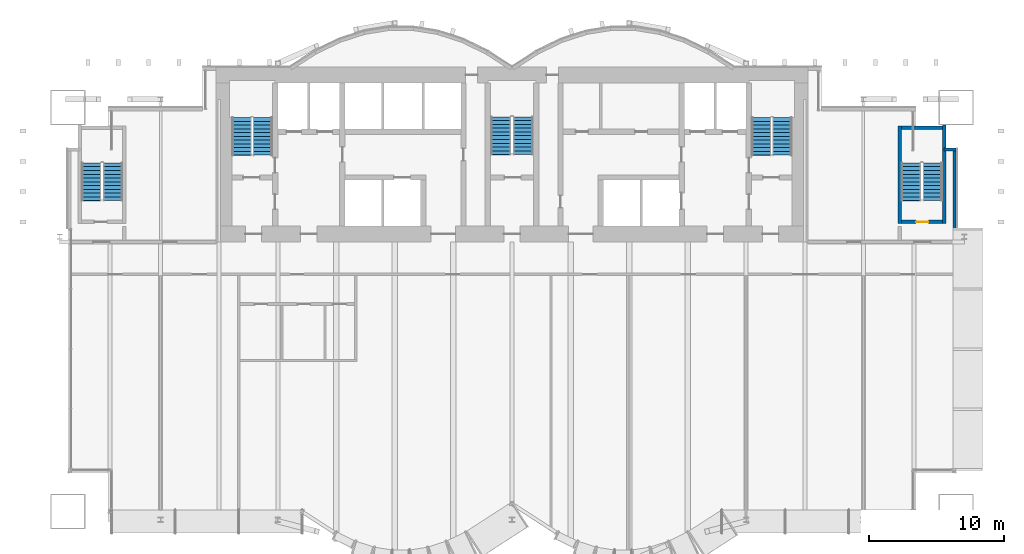
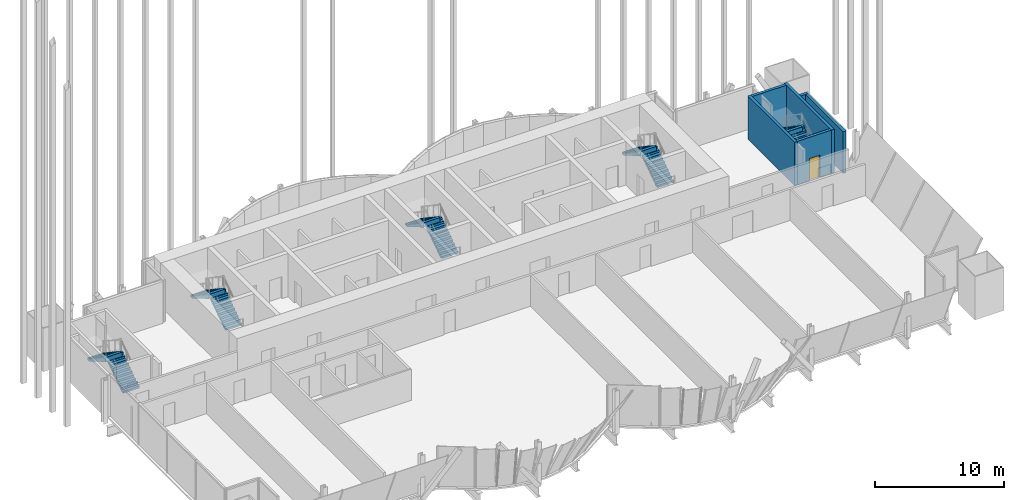
# One storey, part 31 of 33: 10 stair flights, 6 walls, 1 door, 1 opening, 5 elements without a shape of their own.
"""IFC4 building model written with IfcOpenShell, lengths in metres."""

from ifc_helpers import new_model, si_unit, direction, frame, frame_2d, origin, place, context, subcontext, project, spatial, polyline, rectangle, outline, extrude, material, layer, layer_set, layer_usage, type_object, element, fill, aggregate, save


model = new_model("IFC4")

# Units and contexts
model_context = context("Model", 3, precision=1e-05, world=origin(), true_north=direction((0.0, 1.0)))
body_context = subcontext(model_context, "Body", "Model", "MODEL_VIEW")
ifc_project = project(units=[si_unit("LENGTHUNIT", "METRE"), si_unit("AREAUNIT", "SQUARE_METRE"), si_unit("VOLUMEUNIT", "CUBIC_METRE"), si_unit("PLANEANGLEUNIT", "RADIAN"), si_unit("MASSUNIT", "GRAM", prefix="KILO")], contexts=[model_context])

# Site, building, storey
site_placement = place(None, origin())
site = spatial("IfcSite", under=ifc_project, at=site_placement, CompositionType="ELEMENT")
building_placement = place(site_placement, origin())
building = spatial("IfcBuilding", under=site, at=building_placement, Name="Bicima Exchange Tower", CompositionType="ELEMENT")
storey_placement = place(building_placement, frame((0.0, 0.0, 140.39990234375)))
storey = spatial("IfcBuildingStorey", under=building, at=storey_placement, Name="L30", CompositionType="ELEMENT", Elevation=140.39990234375)

# Walls
ifc_material_1 = material(Name="Concrete C50/60", Category="concrete")
ifc_layer_1 = layer(ifc_material_1, 0.25)
ifc_layer_set_1 = layer_set([ifc_layer_1], Name="Concrete C50/60")
wall_type_1 = type_object("IfcWallType", Name="RC stair enclosure wall 250 C50/60", PredefinedType="SHEAR", material=ifc_layer_set_1)
wall_1_placement = place(storey_placement, frame((28.800048828125, -11.625, 0.0), z_axis=(0.0, 0.0, 1.0), x_axis=(0.0, 1.0, 0.0)))
element("IfcWall", 1, at=wall_1_placement, inside=storey, type_object=wall_type_1, Name="East end exit stair wall W", PredefinedType="SHEAR", context=body_context, shape_type="SweptSolid", body=[
    extrude(rectangle(XDim=7.25, YDim=0.25, at=frame_2d((3.625, 0.0))), origin(), (0.0, 0.0, 1.0), 4.10009765625),
])
wall_2_placement = place(storey_placement, frame((32.10009765625, -11.625, 0.0), z_axis=(0.0, 0.0, 1.0), x_axis=(0.0, 1.0, 0.0)))
element("IfcWall", 2, at=wall_2_placement, inside=storey, type_object=wall_type_1, Name="East end exit stair wall E", PredefinedType="SHEAR", context=body_context, shape_type="SweptSolid", body=[
    extrude(rectangle(XDim=7.324951171875, YDim=0.25, at=frame_2d((3.66259765625, 0.0))), origin(), (0.0, 0.0, 1.0), 4.10009765625),
])

# Wall, opening, door
wall_3_placement = place(storey_placement, frame((28.925048828125, -11.5, 0.0), z_axis=(0.0, 0.0, 1.0), x_axis=(1.0, 0.0, 0.0)))
wall_3 = element("IfcWall", 3, at=wall_3_placement, inside=storey, type_object=wall_type_1, Name="East end exit stair wall S", PredefinedType="SHEAR", context=body_context, shape_type="SweptSolid", body=[
    extrude(rectangle(XDim=3.050048828125, YDim=0.25, at=frame_2d((1.52490234375, 0.0))), origin(), (0.0, 0.0, 1.0), 4.10009765625),
])
opening_placement = place(wall_3_placement, frame((1.10009765625, 0.0, 0.0)))
opening = element("IfcOpeningElement", 4, at=opening_placement, cuts=wall_3, Name="Opening L30-004", PredefinedType="OPENING", context=body_context, shape_type="SweptSolid", body=[
    extrude(rectangle(XDim=0.89990234375, YDim=2.10009765625, at=frame_2d((0.449951171875, 1.050048828125))), frame((0.0, 0.136962890625, 0.0), z_axis=(0.0, -1.0, 0.0), x_axis=(1.0, 0.0, 0.0)), (0.0, 0.0, 1.0), 0.27392578125),
])
ifc_material_2 = material(Name="Steel fire door leaf", Category="steel")
door_type = type_object("IfcDoorType", Name="Door 900 swing FD60S", OperationType="SINGLE_SWING_LEFT", PredefinedType="DOOR", material=ifc_material_2)
door_placement = place(opening_placement, origin())
door = element("IfcDoor", 5, at=door_placement, inside=storey, type_object=door_type, Name="Door", OperationType="SINGLE_SWING_LEFT", OverallHeight=2.10009765625, OverallWidth=0.89990234375, PredefinedType="DOOR", context=body_context, shape_type="SweptSolid", body=[
    extrude(rectangle(XDim=0.89990234375, YDim=2.10009765625, at=frame_2d((0.449951171875, 1.050048828125))), frame((0.0, 0.02490234375, 0.0), z_axis=(0.0, -1.0, 0.0), x_axis=(1.0, 0.0, 0.0)), (0.0, 0.0, 1.0), 0.050048828125),
])
fill(opening, door)

# Walls
wall_4_placement = place(storey_placement, frame((28.925048828125, -4.5, 0.0), z_axis=(0.0, 0.0, 1.0), x_axis=(1.0, 0.0, 0.0)))
element("IfcWall", 6, at=wall_4_placement, inside=storey, type_object=wall_type_1, Name="East end exit stair wall N", PredefinedType="SHEAR", context=body_context, shape_type="SweptSolid", body=[
    extrude(rectangle(XDim=3.050048828125, YDim=0.25, at=frame_2d((1.52490234375, 0.0))), origin(), (0.0, 0.0, 1.0), 4.10009765625),
])
ifc_material_3 = material(Name="Concrete C40/50", Category="concrete")
ifc_layer_2 = layer(ifc_material_3, 0.25)
ifc_layer_set_2 = layer_set([ifc_layer_2], Name="Concrete C40/50")
ifc_layer_usage = layer_usage(ifc_layer_set_2, "AXIS2", "POSITIVE", -0.125)
wall_type_2 = type_object("IfcWallType", Name="Rear backup wall 250", PredefinedType="STANDARD", material=ifc_layer_set_2)
wall_5_placement = place(storey_placement, frame((32.875, -12.090087890625, 0.0), z_axis=(0.0, 0.0, 1.0), x_axis=(0.0, 1.0, 0.0)))
element("IfcWall", 7, at=wall_5_placement, inside=storey, type_object=wall_type_2, material=ifc_layer_usage, Name="Rear backup wall L30 2", PredefinedType="STANDARD", context=body_context, shape_type="SweptSolid", body=[
    extrude(rectangle(XDim=6.090087890625, YDim=0.25, at=frame_2d((3.044921875, 0.0))), origin(), (0.0, 0.0, 1.0), 3.9501953125),
])
wall_6_placement = place(storey_placement, frame((33.0, -6.125, 0.0), z_axis=(0.0, 0.0, 1.0), x_axis=(-1.0, 0.0, 0.0)))
element("IfcWall", 8, at=wall_6_placement, inside=storey, type_object=wall_type_2, material=ifc_layer_usage, Name="Rear backup wall L30 3", PredefinedType="STANDARD", context=body_context, shape_type="SweptSolid", body=[
    extrude(rectangle(XDim=0.889892578125, YDim=0.25, at=frame_2d((0.44482421875, 0.0))), origin(), (0.0, 0.0, 1.0), 3.9501953125),
])

# Stair, stair flights
stair_type_1 = type_object("IfcStairType", Name="Exit stair", PredefinedType="HALF_TURN_STAIR", material=ifc_material_1)
stair_1_placement = place(storey_placement, origin())
stair_1 = element("IfcStair", 9, at=stair_1_placement, inside=storey, type_object=stair_type_1, Name="L30 West exit stair", PredefinedType="HALF_TURN_STAIR")
stair_flight_type_1 = type_object("IfcStairFlightType", Name="Stair flight RC", PredefinedType="STRAIGHT", material=ifc_material_1)
stair_flight_1_placement = place(storey_placement, frame((-18.52490234375, -6.550048828125, 0.0), z_axis=(0.0, 0.0, 1.0), x_axis=(0.0, 1.0, 0.0)))
stair_flight_1 = element("IfcStairFlight", 10, at=stair_flight_1_placement, type_object=stair_flight_type_1, Name="ST-W flight 1", NumberOfRisers=11, NumberOfTreads=10, PredefinedType="STRAIGHT", RiserHeight=0.186363636, TreadLength=0.28, context=body_context, shape_type="SweptSolid", body=[
    extrude(outline(polyline([(0.0, 0.0), (0.0, 0.186279296875), (0.280029296875, 0.186279296875), (0.280029296875, 0.372802734375), (0.56005859375, 0.372802734375), (0.56005859375, 0.55908203125), (0.840087890625, 0.55908203125), (0.840087890625, 0.745361328125), (1.1201171875, 0.745361328125), (1.1201171875, 0.931884765625), (1.39990234375, 0.931884765625), (1.39990234375, 1.1181640625), (1.679931640625, 1.1181640625), (1.679931640625, 1.304443359375), (1.9599609375, 1.304443359375), (1.9599609375, 1.490966796875), (2.239990234375, 1.490966796875), (2.239990234375, 1.67724609375), (2.52001953125, 1.67724609375), (2.52001953125, 1.863525390625), (2.800048828125, 1.863525390625), (2.800048828125, 2.050048828125), (2.800048828125, 1.68359375), (0.2705078125, 0.0), (0.0, 0.0)])), frame((0.0, 0.72509765625, 0.0), z_axis=(0.0, -1.0, 0.0), x_axis=(1.0, 0.0, 0.0)), (0.0, 0.0, 1.0), 1.449951171875),
])
stair_flight_2_placement = place(storey_placement, frame((-20.074951171875, -3.75, 2.050048828125), z_axis=(0.0, 0.0, 1.0), x_axis=(0.0, -1.0, 0.0)))
stair_flight_2 = element("IfcStairFlight", 11, at=stair_flight_2_placement, type_object=stair_flight_type_1, Name="ST-W flight 2", NumberOfRisers=11, NumberOfTreads=10, PredefinedType="STRAIGHT", RiserHeight=0.186363636, TreadLength=0.28, context=body_context, shape_type="SweptSolid", body=[
    extrude(outline(polyline([(0.0, 0.0), (0.0, 0.186279296875), (0.280029296875, 0.186279296875), (0.280029296875, 0.372802734375), (0.56005859375, 0.372802734375), (0.56005859375, 0.55908203125), (0.840087890625, 0.55908203125), (0.840087890625, 0.745361328125), (1.1201171875, 0.745361328125), (1.1201171875, 0.931884765625), (1.39990234375, 0.931884765625), (1.39990234375, 1.1181640625), (1.679931640625, 1.1181640625), (1.679931640625, 1.304443359375), (1.9599609375, 1.304443359375), (1.9599609375, 1.490966796875), (2.239990234375, 1.490966796875), (2.239990234375, 1.67724609375), (2.52001953125, 1.67724609375), (2.52001953125, 1.863525390625), (2.800048828125, 1.863525390625), (2.800048828125, 1.904052734375), (2.81494140625, 1.904052734375), (2.81494140625, 1.507080078125), (0.2705078125, 0.0), (0.0, 0.0)])), frame((0.0, 0.72509765625, 0.0), z_axis=(0.0, -1.0, 0.0), x_axis=(1.0, 0.0, 0.0)), (0.0, 0.0, 1.0), 1.449951171875),
])
aggregate(stair_1, [stair_flight_1, stair_flight_2])

stair_2_placement = place(storey_placement, origin())
stair_2 = element("IfcStair", 12, at=stair_2_placement, inside=storey, type_object=stair_type_1, Name="L30 East exit stair", PredefinedType="HALF_TURN_STAIR")
stair_flight_3_placement = place(storey_placement, frame((20.074951171875, -6.550048828125, 0.0), z_axis=(0.0, 0.0, 1.0), x_axis=(0.0, 1.0, 0.0)))
stair_flight_3 = element("IfcStairFlight", 13, at=stair_flight_3_placement, type_object=stair_flight_type_1, Name="ST-E flight 1", NumberOfRisers=11, NumberOfTreads=10, PredefinedType="STRAIGHT", RiserHeight=0.186363636, TreadLength=0.28, context=body_context, shape_type="SweptSolid", body=[
    extrude(outline(polyline([(0.0, 0.0), (0.0, 0.186279296875), (0.280029296875, 0.186279296875), (0.280029296875, 0.372802734375), (0.56005859375, 0.372802734375), (0.56005859375, 0.55908203125), (0.840087890625, 0.55908203125), (0.840087890625, 0.745361328125), (1.1201171875, 0.745361328125), (1.1201171875, 0.931884765625), (1.39990234375, 0.931884765625), (1.39990234375, 1.1181640625), (1.679931640625, 1.1181640625), (1.679931640625, 1.304443359375), (1.9599609375, 1.304443359375), (1.9599609375, 1.490966796875), (2.239990234375, 1.490966796875), (2.239990234375, 1.67724609375), (2.52001953125, 1.67724609375), (2.52001953125, 1.863525390625), (2.800048828125, 1.863525390625), (2.800048828125, 2.050048828125), (2.800048828125, 1.68359375), (0.2705078125, 0.0), (0.0, 0.0)])), frame((0.0, 0.72509765625, 0.0), z_axis=(0.0, -1.0, 0.0), x_axis=(1.0, 0.0, 0.0)), (0.0, 0.0, 1.0), 1.449951171875),
])
stair_flight_4_placement = place(storey_placement, frame((18.52490234375, -3.75, 2.050048828125), z_axis=(0.0, 0.0, 1.0), x_axis=(0.0, -1.0, 0.0)))
stair_flight_4 = element("IfcStairFlight", 14, at=stair_flight_4_placement, type_object=stair_flight_type_1, Name="ST-E flight 2", NumberOfRisers=11, NumberOfTreads=10, PredefinedType="STRAIGHT", RiserHeight=0.186363636, TreadLength=0.28, context=body_context, shape_type="SweptSolid", body=[
    extrude(outline(polyline([(0.0, 0.0), (0.0, 0.186279296875), (0.280029296875, 0.186279296875), (0.280029296875, 0.372802734375), (0.56005859375, 0.372802734375), (0.56005859375, 0.55908203125), (0.840087890625, 0.55908203125), (0.840087890625, 0.745361328125), (1.1201171875, 0.745361328125), (1.1201171875, 0.931884765625), (1.39990234375, 0.931884765625), (1.39990234375, 1.1181640625), (1.679931640625, 1.1181640625), (1.679931640625, 1.304443359375), (1.9599609375, 1.304443359375), (1.9599609375, 1.490966796875), (2.239990234375, 1.490966796875), (2.239990234375, 1.67724609375), (2.52001953125, 1.67724609375), (2.52001953125, 1.863525390625), (2.800048828125, 1.863525390625), (2.800048828125, 1.904052734375), (2.81494140625, 1.904052734375), (2.81494140625, 1.507080078125), (0.2705078125, 0.0), (0.0, 0.0)])), frame((0.0, 0.72509765625, 0.0), z_axis=(0.0, -1.0, 0.0), x_axis=(1.0, 0.0, 0.0)), (0.0, 0.0, 1.0), 1.449951171875),
])
aggregate(stair_2, [stair_flight_3, stair_flight_4])

stair_3_placement = place(storey_placement, origin())
stair_3 = element("IfcStair", 15, at=stair_3_placement, inside=storey, type_object=stair_type_1, Name="L30 West end exit stair", PredefinedType="HALF_TURN_STAIR")
stair_flight_5_placement = place(storey_placement, frame((-29.64990234375, -9.925048828125, 0.0), z_axis=(0.0, 0.0, 1.0), x_axis=(0.0, 1.0, 0.0)))
stair_flight_5 = element("IfcStairFlight", 16, at=stair_flight_5_placement, type_object=stair_flight_type_1, Name="ST-WW flight 1", NumberOfRisers=11, NumberOfTreads=10, PredefinedType="STRAIGHT", RiserHeight=0.186363636, TreadLength=0.28, context=body_context, shape_type="SweptSolid", body=[
    extrude(outline(polyline([(0.0, 0.0), (0.0, 0.186279296875), (0.280029296875, 0.186279296875), (0.280029296875, 0.372802734375), (0.56005859375, 0.372802734375), (0.56005859375, 0.55908203125), (0.840087890625, 0.55908203125), (0.840087890625, 0.745361328125), (1.1201171875, 0.745361328125), (1.1201171875, 0.931884765625), (1.39990234375, 0.931884765625), (1.39990234375, 1.1181640625), (1.679931640625, 1.1181640625), (1.679931640625, 1.304443359375), (1.9599609375, 1.304443359375), (1.9599609375, 1.490966796875), (2.239990234375, 1.490966796875), (2.239990234375, 1.67724609375), (2.52001953125, 1.67724609375), (2.52001953125, 1.863525390625), (2.800048828125, 1.863525390625), (2.800048828125, 2.050048828125), (2.800048828125, 1.68359375), (0.2705078125, 0.0), (0.0, 0.0)])), frame((0.0, 0.72509765625, 0.0), z_axis=(0.0, -1.0, 0.0), x_axis=(1.0, 0.0, 0.0)), (0.0, 0.0, 1.0), 1.449951171875),
])
stair_flight_6_placement = place(storey_placement, frame((-31.25, -7.125, 2.050048828125), z_axis=(0.0, 0.0, 1.0), x_axis=(0.0, -1.0, 0.0)))
stair_flight_6 = element("IfcStairFlight", 17, at=stair_flight_6_placement, type_object=stair_flight_type_1, Name="ST-WW flight 2", NumberOfRisers=11, NumberOfTreads=10, PredefinedType="STRAIGHT", RiserHeight=0.186363636, TreadLength=0.28, context=body_context, shape_type="SweptSolid", body=[
    extrude(outline(polyline([(0.0, 0.0), (0.0, 0.186279296875), (0.280029296875, 0.186279296875), (0.280029296875, 0.372802734375), (0.56005859375, 0.372802734375), (0.56005859375, 0.55908203125), (0.840087890625, 0.55908203125), (0.840087890625, 0.745361328125), (1.1201171875, 0.745361328125), (1.1201171875, 0.931884765625), (1.39990234375, 0.931884765625), (1.39990234375, 1.1181640625), (1.679931640625, 1.1181640625), (1.679931640625, 1.304443359375), (1.9599609375, 1.304443359375), (1.9599609375, 1.490966796875), (2.239990234375, 1.490966796875), (2.239990234375, 1.67724609375), (2.52001953125, 1.67724609375), (2.52001953125, 1.863525390625), (2.800048828125, 1.863525390625), (2.800048828125, 1.904052734375), (2.81494140625, 1.904052734375), (2.81494140625, 1.507080078125), (0.2705078125, 0.0), (0.0, 0.0)])), frame((0.0, 0.72509765625, 0.0), z_axis=(0.0, -1.0, 0.0), x_axis=(1.0, 0.0, 0.0)), (0.0, 0.0, 1.0), 1.449951171875),
])
aggregate(stair_3, [stair_flight_5, stair_flight_6])

stair_4_placement = place(storey_placement, origin())
stair_4 = element("IfcStair", 18, at=stair_4_placement, inside=storey, type_object=stair_type_1, Name="L30 East end exit stair", PredefinedType="HALF_TURN_STAIR")
stair_flight_7_placement = place(storey_placement, frame((31.25, -9.925048828125, 0.0), z_axis=(0.0, 0.0, 1.0), x_axis=(0.0, 1.0, 0.0)))
stair_flight_7 = element("IfcStairFlight", 19, at=stair_flight_7_placement, type_object=stair_flight_type_1, Name="ST-EE flight 1", NumberOfRisers=11, NumberOfTreads=10, PredefinedType="STRAIGHT", RiserHeight=0.186363636, TreadLength=0.28, context=body_context, shape_type="SweptSolid", body=[
    extrude(outline(polyline([(0.0, 0.0), (0.0, 0.186279296875), (0.280029296875, 0.186279296875), (0.280029296875, 0.372802734375), (0.56005859375, 0.372802734375), (0.56005859375, 0.55908203125), (0.840087890625, 0.55908203125), (0.840087890625, 0.745361328125), (1.1201171875, 0.745361328125), (1.1201171875, 0.931884765625), (1.39990234375, 0.931884765625), (1.39990234375, 1.1181640625), (1.679931640625, 1.1181640625), (1.679931640625, 1.304443359375), (1.9599609375, 1.304443359375), (1.9599609375, 1.490966796875), (2.239990234375, 1.490966796875), (2.239990234375, 1.67724609375), (2.52001953125, 1.67724609375), (2.52001953125, 1.863525390625), (2.800048828125, 1.863525390625), (2.800048828125, 2.050048828125), (2.800048828125, 1.68359375), (0.2705078125, 0.0), (0.0, 0.0)])), frame((0.0, 0.72509765625, 0.0), z_axis=(0.0, -1.0, 0.0), x_axis=(1.0, 0.0, 0.0)), (0.0, 0.0, 1.0), 1.449951171875),
])
stair_flight_8_placement = place(storey_placement, frame((29.64990234375, -7.125, 2.050048828125), z_axis=(0.0, 0.0, 1.0), x_axis=(0.0, -1.0, 0.0)))
stair_flight_8 = element("IfcStairFlight", 20, at=stair_flight_8_placement, type_object=stair_flight_type_1, Name="ST-EE flight 2", NumberOfRisers=11, NumberOfTreads=10, PredefinedType="STRAIGHT", RiserHeight=0.186363636, TreadLength=0.28, context=body_context, shape_type="SweptSolid", body=[
    extrude(outline(polyline([(0.0, 0.0), (0.0, 0.186279296875), (0.280029296875, 0.186279296875), (0.280029296875, 0.372802734375), (0.56005859375, 0.372802734375), (0.56005859375, 0.55908203125), (0.840087890625, 0.55908203125), (0.840087890625, 0.745361328125), (1.1201171875, 0.745361328125), (1.1201171875, 0.931884765625), (1.39990234375, 0.931884765625), (1.39990234375, 1.1181640625), (1.679931640625, 1.1181640625), (1.679931640625, 1.304443359375), (1.9599609375, 1.304443359375), (1.9599609375, 1.490966796875), (2.239990234375, 1.490966796875), (2.239990234375, 1.67724609375), (2.52001953125, 1.67724609375), (2.52001953125, 1.863525390625), (2.800048828125, 1.863525390625), (2.800048828125, 1.904052734375), (2.81494140625, 1.904052734375), (2.81494140625, 1.507080078125), (0.2705078125, 0.0), (0.0, 0.0)])), frame((0.0, 0.72509765625, 0.0), z_axis=(0.0, -1.0, 0.0), x_axis=(1.0, 0.0, 0.0)), (0.0, 0.0, 1.0), 1.449951171875),
])
aggregate(stair_4, [stair_flight_7, stair_flight_8])

stair_type_2 = type_object("IfcStairType", Name="Exit stair 1500", PredefinedType="HALF_TURN_STAIR", material=ifc_material_1)
stair_5_placement = place(storey_placement, origin())
stair_5 = element("IfcStair", 21, at=stair_5_placement, inside=storey, type_object=stair_type_2, Name="L30 Central exit stair", PredefinedType="HALF_TURN_STAIR")
stair_flight_type_2 = type_object("IfcStairFlightType", Name="Stair flight RC 1500", PredefinedType="STRAIGHT", material=ifc_material_1)
stair_flight_9_placement = place(storey_placement, frame((0.824951171875, -6.5, 0.0), z_axis=(0.0, 0.0, 1.0), x_axis=(0.0, 1.0, 0.0)))
stair_flight_9 = element("IfcStairFlight", 22, at=stair_flight_9_placement, type_object=stair_flight_type_2, Name="ST-C flight 1", NumberOfRisers=11, NumberOfTreads=10, PredefinedType="STRAIGHT", RiserHeight=0.186363636, TreadLength=0.28, context=body_context, shape_type="SweptSolid", body=[
    extrude(outline(polyline([(0.0, 0.0), (0.0, 0.186279296875), (0.280029296875, 0.186279296875), (0.280029296875, 0.372802734375), (0.56005859375, 0.372802734375), (0.56005859375, 0.55908203125), (0.840087890625, 0.55908203125), (0.840087890625, 0.745361328125), (1.1201171875, 0.745361328125), (1.1201171875, 0.931884765625), (1.39990234375, 0.931884765625), (1.39990234375, 1.1181640625), (1.679931640625, 1.1181640625), (1.679931640625, 1.304443359375), (1.9599609375, 1.304443359375), (1.9599609375, 1.490966796875), (2.239990234375, 1.490966796875), (2.239990234375, 1.67724609375), (2.52001953125, 1.67724609375), (2.52001953125, 1.863525390625), (2.800048828125, 1.863525390625), (2.800048828125, 2.050048828125), (2.800048828125, 1.68359375), (0.2705078125, 0.0), (0.0, 0.0)])), frame((0.0, 0.75, 0.0), z_axis=(0.0, -1.0, 0.0), x_axis=(1.0, 0.0, 0.0)), (0.0, 0.0, 1.0), 1.5),
])
stair_flight_10_placement = place(storey_placement, frame((-0.824951171875, -3.699951171875, 2.050048828125), z_axis=(0.0, 0.0, 1.0), x_axis=(0.0, -1.0, 0.0)))
stair_flight_10 = element("IfcStairFlight", 23, at=stair_flight_10_placement, type_object=stair_flight_type_2, Name="ST-C flight 2", NumberOfRisers=11, NumberOfTreads=10, PredefinedType="STRAIGHT", RiserHeight=0.186363636, TreadLength=0.28, context=body_context, shape_type="SweptSolid", body=[
    extrude(outline(polyline([(0.0, 0.0), (0.0, 0.186279296875), (0.280029296875, 0.186279296875), (0.280029296875, 0.372802734375), (0.56005859375, 0.372802734375), (0.56005859375, 0.55908203125), (0.840087890625, 0.55908203125), (0.840087890625, 0.745361328125), (1.1201171875, 0.745361328125), (1.1201171875, 0.931884765625), (1.39990234375, 0.931884765625), (1.39990234375, 1.1181640625), (1.679931640625, 1.1181640625), (1.679931640625, 1.304443359375), (1.9599609375, 1.304443359375), (1.9599609375, 1.490966796875), (2.239990234375, 1.490966796875), (2.239990234375, 1.67724609375), (2.52001953125, 1.67724609375), (2.52001953125, 1.863525390625), (2.800048828125, 1.863525390625), (2.800048828125, 1.904052734375), (2.81494140625, 1.904052734375), (2.81494140625, 1.507080078125), (0.2705078125, 0.0), (0.0, 0.0)])), frame((0.0, 0.75, 0.0), z_axis=(0.0, -1.0, 0.0), x_axis=(1.0, 0.0, 0.0)), (0.0, 0.0, 1.0), 1.5),
])
aggregate(stair_5, [stair_flight_9, stair_flight_10])

save(model, "model.ifc")
